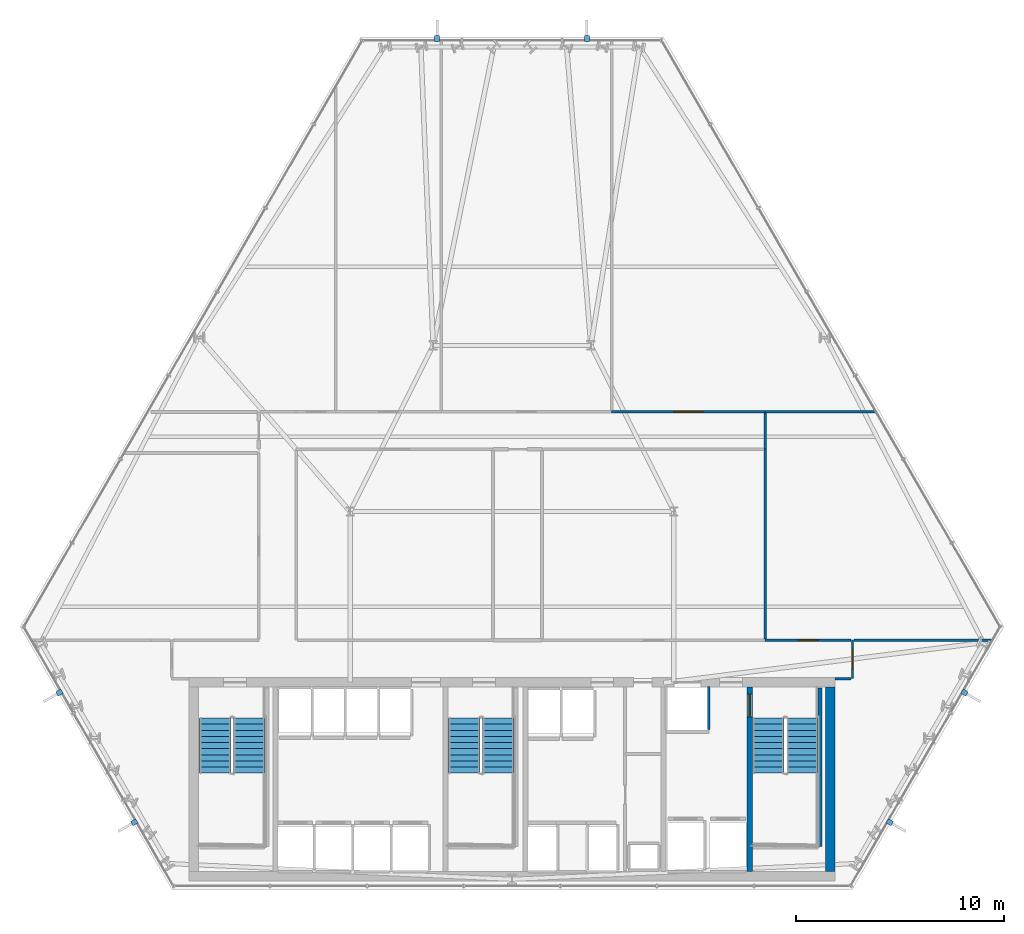
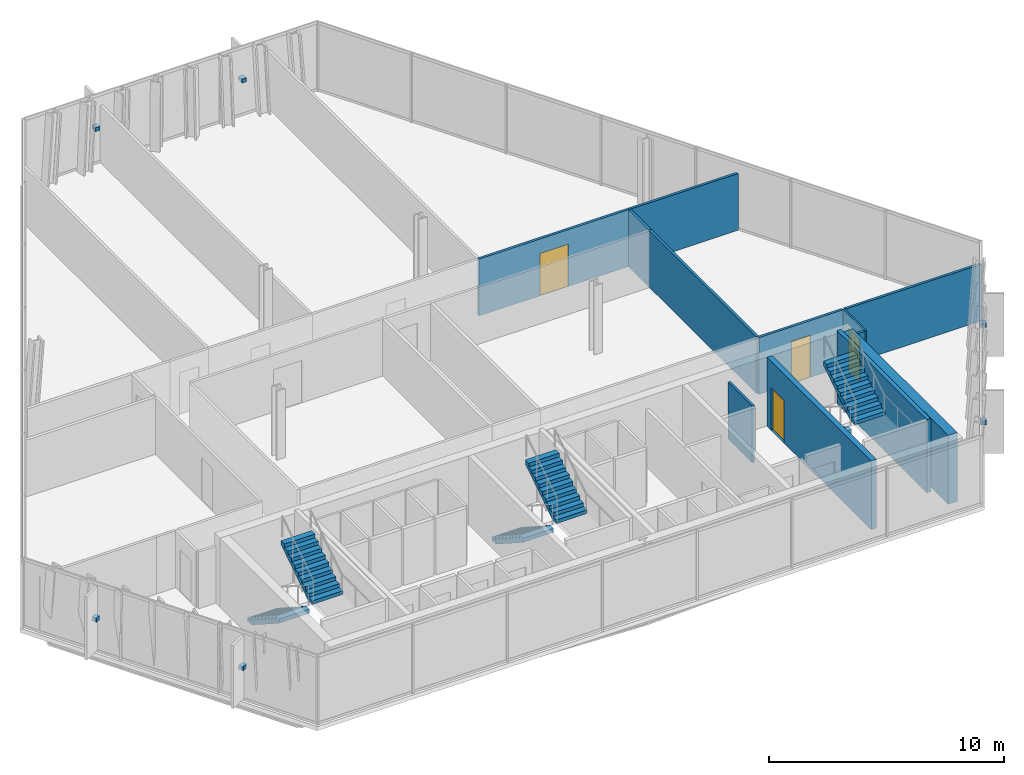
# One storey, part 29 of 33: 12 walls, 6 discrete accessories, 6 stair flights, 4 doors, 4 openings, 3 elements without a shape of their own.
"""IFC4 building model written with IfcOpenShell, lengths in metres."""

from ifc_helpers import new_model, si_unit, direction, frame, frame_2d, origin, origin_2d, place, context, subcontext, project, spatial, polyline, rectangle, outline, extrude, material, layer, layer_set, type_object, element, fill, aggregate, save


model = new_model("IFC4")

# Units and contexts
model_context = context("Model", 3, precision=1e-05, world=origin(), true_north=direction((0.0, 1.0)))
body_context = subcontext(model_context, "Body", "Model", "MODEL_VIEW")
ifc_project = project(units=[si_unit("LENGTHUNIT", "METRE"), si_unit("AREAUNIT", "SQUARE_METRE"), si_unit("VOLUMEUNIT", "CUBIC_METRE"), si_unit("PLANEANGLEUNIT", "RADIAN"), si_unit("MASSUNIT", "GRAM", prefix="KILO")], contexts=[model_context])

# Site, building, storey
site_placement = place(None, origin())
site = spatial("IfcSite", under=ifc_project, at=site_placement, CompositionType="ELEMENT")
building_placement = place(site_placement, origin())
building = spatial("IfcBuilding", under=site, at=building_placement, Name="Ndaravel Arena Tower", CompositionType="ELEMENT")
storey_placement = place(building_placement, frame((0.0, 0.0, 89.199951171875)))
storey = spatial("IfcBuildingStorey", under=building, at=storey_placement, Name="L20", CompositionType="ELEMENT", Elevation=89.199951171875)

# Wall, opening, door
ifc_material_1 = material(Name="Concrete C60/75", Category="concrete")
ifc_layer_1 = layer(ifc_material_1, 0.25)
ifc_layer_set_1 = layer_set([ifc_layer_1], Name="Concrete C60/75")
wall_type_1 = type_object("IfcWallType", Name="WALL-CORE-250", PredefinedType="SOLIDWALL", material=ifc_layer_set_1)
wall_1_placement = place(storey_placement, frame((53.449951171875, 5.85009765625, 0.0), z_axis=(0.0, 0.0, 1.0), x_axis=(0.0, 1.0, 0.0)))
wall_1 = element("IfcWall", 1, at=wall_1_placement, inside=storey, type_object=wall_type_1, Name="L20 Core Web Shear Wall 5", PredefinedType="SOLIDWALL", context=body_context, shape_type="SweptSolid", body=[
    extrude(rectangle(XDim=8.89990234375, YDim=0.25, at=frame_2d((4.449951171875, 0.0))), origin(), (0.0, 0.0, 1.0), 3.580078125),
])
opening_1_placement = place(wall_1_placement, frame((7.449951171875, 0.0, 0.0)))
opening_1 = element("IfcOpeningElement", 2, at=opening_1_placement, cuts=wall_1, Name="Opening FD-01", PredefinedType="OPENING", context=body_context, shape_type="SweptSolid", body=[
    extrude(rectangle(XDim=1.10009765625, YDim=2.199951171875, at=frame_2d((0.550048828125, 1.10009765625))), frame((0.0, 0.125, 0.0), z_axis=(0.0, -1.0, 0.0), x_axis=(1.0, 0.0, 0.0)), (0.0, 0.0, 1.0), 0.25),
])
ifc_material_2 = material(Name="Steel S355", Category="steel")
door_type_1 = type_object("IfcDoorType", Name="DT-01-STAIR-1100", OperationType="SINGLE_SWING_LEFT", PredefinedType="DOOR", material=ifc_material_2)
door_1_placement = place(opening_1_placement, origin())
door_1 = element("IfcDoor", 3, at=door_1_placement, inside=storey, type_object=door_type_1, Name="L20 Firefighting Lobby to ST-3 Door", OperationType="SINGLE_SWING_LEFT", OverallHeight=2.199951171875, OverallWidth=1.10009765625, PredefinedType="DOOR", context=body_context, shape_type="SweptSolid", body=[
    extrude(rectangle(XDim=1.10009765625, YDim=2.199951171875, at=frame_2d((0.550048828125, 1.10009765625))), frame((0.0, 0.02490234375, 0.0), z_axis=(0.0, -1.0, 0.0), x_axis=(1.0, 0.0, 0.0)), (0.0, 0.0, 1.0), 0.050048828125),
])
fill(opening_1, door_1)

# Wall
ifc_material_3 = material(Name="Concrete C60/75", Category="concrete")
ifc_layer_2 = layer(ifc_material_3, 0.449951171875)
ifc_layer_set_2 = layer_set([ifc_layer_2], Name="Concrete C60/75")
wall_type_2 = type_object("IfcWallType", Name="WALL-CORE-450", PredefinedType="SOLIDWALL", material=ifc_layer_set_2)
wall_2_placement = place(storey_placement, frame((57.324951171875, 5.85009765625, 0.0), z_axis=(0.0, 0.0, 1.0), x_axis=(0.0, 1.0, 0.0)))
element("IfcWall", 4, at=wall_2_placement, inside=storey, type_object=wall_type_2, Name="L20 Core East Shear Wall", PredefinedType="SOLIDWALL", context=body_context, shape_type="SweptSolid", body=[
    extrude(rectangle(XDim=8.89990234375, YDim=0.449951171875, at=frame_2d((4.449951171875, 0.0))), origin(), (0.0, 0.0, 1.0), 3.580078125),
])

# Wall, opening, door
ifc_material_4 = material(Name="Timber", Category="wood")
ifc_layer_3 = layer(ifc_material_4, 0.10009765625)
ifc_layer_set_3 = layer_set([ifc_layer_3], Name="Timber")
wall_type_3 = type_object("IfcWallType", Name="WALL-MOVABLE-100", PredefinedType="MOVABLE", material=ifc_layer_set_3)
wall_3_placement = place(storey_placement, frame((58.39990234375, 17.0, 0.0), z_axis=(0.0, 0.0, 1.0), x_axis=(0.0, -1.0, 0.0)))
wall_3 = element("IfcWall", 5, at=wall_3_placement, inside=storey, type_object=wall_type_3, Name="L20 Interior Partition 001", PredefinedType="MOVABLE", context=body_context, shape_type="SweptSolid", body=[
    extrude(rectangle(XDim=1.85009765625, YDim=0.10009765625, at=frame_2d((0.925048828125, 0.0))), origin(), (0.0, 0.0, 1.0), 2.949951171875),
])
opening_2_placement = place(wall_3_placement, frame((0.449951171875, 0.0, 0.0)))
opening_2 = element("IfcOpeningElement", 6, at=opening_2_placement, cuts=wall_3, Name="Opening ID-01", PredefinedType="OPENING", context=body_context, shape_type="SweptSolid", body=[
    extrude(rectangle(XDim=0.949951171875, YDim=2.199951171875, at=frame_2d((0.47509765625, 1.10009765625))), frame((0.0, 0.050048828125, 0.0), z_axis=(0.0, -1.0, 0.0), x_axis=(1.0, 0.0, 0.0)), (0.0, 0.0, 1.0), 0.10009765625),
])
ifc_material_5 = material(Name="Timber", Category="wood")
door_type_2 = type_object("IfcDoorType", Name="DT-03-OFFICE-950", OperationType="SINGLE_SWING_LEFT", PredefinedType="DOOR", material=ifc_material_5)
door_2_placement = place(opening_2_placement, origin())
door_2 = element("IfcDoor", 7, at=door_2_placement, inside=storey, type_object=door_type_2, Name="L20 Visitor Reception Desk Door", OperationType="SINGLE_SWING_RIGHT", OverallHeight=2.199951171875, OverallWidth=0.949951171875, PredefinedType="DOOR", context=body_context, shape_type="SweptSolid", body=[
    extrude(rectangle(XDim=0.949951171875, YDim=2.199951171875, at=frame_2d((0.47509765625, 1.10009765625))), frame((0.0, 0.02490234375, 0.0), z_axis=(0.0, -1.0, 0.0), x_axis=(1.0, 0.0, 0.0)), (0.0, 0.0, 1.0), 0.050048828125),
])
fill(opening_2, door_2)

# Wall
ifc_material_6 = material(Name="Gypsum", Category="gypsum")
ifc_layer_4 = layer(ifc_material_6, 0.125)
ifc_layer_set_4 = layer_set([ifc_layer_4], Name="Gypsum")
wall_type_4 = type_object("IfcWallType", Name="WALL-PART-125", PredefinedType="PARTITIONING", material=ifc_layer_set_4)
wall_4_placement = place(storey_placement, frame((58.3349609375, 15.14990234375, 0.0), z_axis=(0.0, 0.0, 1.0), x_axis=(-1.0, 0.0, 0.0)))
element("IfcWall", 8, at=wall_4_placement, inside=storey, type_object=wall_type_4, Name="L20 Interior Partition 002", PredefinedType="PARTITIONING", context=body_context, shape_type="SweptSolid", body=[
    extrude(rectangle(XDim=0.784912109375, YDim=0.125, at=frame_2d((0.392578125, 0.0))), origin(), (0.0, 0.0, 1.0), 2.949951171875),
])

# Wall, opening, door
wall_5_placement = place(storey_placement, frame((46.800048828125, 28.0, 0.0), z_axis=(0.0, 0.0, 1.0), x_axis=(1.0, 0.0, 0.0)))
wall_5 = element("IfcWall", 9, at=wall_5_placement, inside=storey, type_object=wall_type_4, Name="L20 Interior Partition 012", PredefinedType="PARTITIONING", context=body_context, shape_type="SweptSolid", body=[
    extrude(rectangle(XDim=7.39990234375, YDim=0.125, at=frame_2d((3.699951171875, 0.0))), origin(), (0.0, 0.0, 1.0), 2.949951171875),
])
opening_3_placement = place(wall_5_placement, frame((3.0, 0.0, 0.0)))
opening_3 = element("IfcOpeningElement", 10, at=opening_3_placement, cuts=wall_5, Name="Opening ID-02", PredefinedType="OPENING", context=body_context, shape_type="SweptSolid", body=[
    extrude(rectangle(XDim=1.39990234375, YDim=2.199951171875, at=frame_2d((0.699951171875, 1.10009765625))), frame((0.0, 0.0625, 0.0), z_axis=(0.0, -1.0, 0.0), x_axis=(1.0, 0.0, 0.0)), (0.0, 0.0, 1.0), 0.125),
])
ifc_material_7 = material(Name="Timber", Category="wood")
door_type_3 = type_object("IfcDoorType", Name="DT-04-SUITE-1400", OperationType="DOUBLE_DOOR_SINGLE_SWING", PredefinedType="DOOR", material=ifc_material_7)
door_3_placement = place(opening_3_placement, origin())
door_3 = element("IfcDoor", 11, at=door_3_placement, inside=storey, type_object=door_type_3, Name="L20 Tenant Reception Suite 3 Door", OperationType="SINGLE_SWING_RIGHT", OverallHeight=2.199951171875, OverallWidth=1.39990234375, PredefinedType="DOOR", context=body_context, shape_type="SweptSolid", body=[
    extrude(rectangle(XDim=1.39990234375, YDim=2.199951171875, at=frame_2d((0.699951171875, 1.10009765625))), frame((0.0, 0.02490234375, 0.0), z_axis=(0.0, -1.0, 0.0), x_axis=(1.0, 0.0, 0.0)), (0.0, 0.0, 1.0), 0.050048828125),
])
fill(opening_3, door_3)

# Wall
wall_6_placement = place(storey_placement, frame((54.199951171875, 27.93505859375, 0.0), z_axis=(0.0, 0.0, 1.0), x_axis=(0.0, -1.0, 0.0)))
element("IfcWall", 12, at=wall_6_placement, inside=storey, type_object=wall_type_4, Name="L20 Interior Partition 013", PredefinedType="PARTITIONING", context=body_context, shape_type="SweptSolid", body=[
    extrude(rectangle(XDim=1.735107421875, YDim=0.125, at=frame_2d((0.86767578125, 0.0))), origin(), (0.0, 0.0, 1.0), 2.949951171875),
])

# Wall, opening, door
wall_7_placement = place(storey_placement, frame((54.199951171875, 17.0, 0.0), z_axis=(0.0, 0.0, 1.0), x_axis=(1.0, 0.0, 0.0)))
wall_7 = element("IfcWall", 13, at=wall_7_placement, inside=storey, type_object=wall_type_4, Name="L20 Interior Partition 021", PredefinedType="PARTITIONING", context=body_context, shape_type="SweptSolid", body=[
    extrude(rectangle(XDim=4.135009765625, YDim=0.125, at=frame_2d((2.0673828125, 0.0))), origin(), (0.0, 0.0, 1.0), 2.949951171875),
])
opening_4_placement = place(wall_7_placement, frame((1.592529296875, 0.0, 0.0)))
opening_4 = element("IfcOpeningElement", 14, at=opening_4_placement, cuts=wall_7, Name="Opening ID-01", PredefinedType="OPENING", context=body_context, shape_type="SweptSolid", body=[
    extrude(rectangle(XDim=0.949951171875, YDim=2.199951171875, at=frame_2d((0.47509765625, 1.10009765625))), frame((0.0, 0.0625, 0.0), z_axis=(0.0, -1.0, 0.0), x_axis=(1.0, 0.0, 0.0)), (0.0, 0.0, 1.0), 0.125),
])
door_4_placement = place(opening_4_placement, origin())
door_4 = element("IfcDoor", 15, at=door_4_placement, inside=storey, type_object=door_type_2, Name="L20 Advisory Desk Office 3 Door", OperationType="SINGLE_SWING_LEFT", OverallHeight=2.199951171875, OverallWidth=0.949951171875, PredefinedType="DOOR", context=body_context, shape_type="SweptSolid", body=[
    extrude(rectangle(XDim=0.949951171875, YDim=2.199951171875, at=frame_2d((0.47509765625, 1.10009765625))), frame((0.0, 0.02490234375, 0.0), z_axis=(0.0, -1.0, 0.0), x_axis=(1.0, 0.0, 0.0)), (0.0, 0.0, 1.0), 0.050048828125),
])
fill(opening_4, door_4)

# Walls
wall_8_placement = place(storey_placement, frame((58.465087890625, 17.0, 0.0), z_axis=(0.0, 0.0, 1.0), x_axis=(1.0, 0.0, 0.0)))
element("IfcWall", 16, at=wall_8_placement, inside=storey, type_object=wall_type_4, Name="L20 Interior Partition 024", PredefinedType="PARTITIONING", context=body_context, shape_type="SweptSolid", body=[
    extrude(rectangle(XDim=6.6796875, YDim=0.125, at=frame_2d((3.33984375, 0.0))), origin(), (0.0, 0.0, 1.0), 2.949951171875),
])
wall_9_placement = place(storey_placement, frame((54.199951171875, 26.199951171875, 0.0), z_axis=(0.0, 0.0, 1.0), x_axis=(0.0, -1.0, 0.0)))
element("IfcWall", 17, at=wall_9_placement, inside=storey, type_object=wall_type_4, Name="L20 Interior Partition 028", PredefinedType="PARTITIONING", context=body_context, shape_type="SweptSolid", body=[
    extrude(rectangle(XDim=9.135009765625, YDim=0.125, at=frame_2d((4.5673828125, 0.0))), origin(), (0.0, 0.0, 1.0), 2.949951171875),
])
wall_10_placement = place(storey_placement, frame((54.199951171875, 28.0, 0.0), z_axis=(0.0, 0.0, 1.0), x_axis=(1.0, 0.0, 0.0)))
element("IfcWall", 18, at=wall_10_placement, inside=storey, type_object=wall_type_4, Name="L20 Interior Partition 029", PredefinedType="PARTITIONING", context=body_context, shape_type="SweptSolid", body=[
    extrude(rectangle(XDim=5.342041015625, YDim=0.125, at=frame_2d((2.6708984375, 0.0))), origin(), (0.0, 0.0, 1.0), 2.949951171875),
])
ifc_material_8 = material(Name="Concrete C40/50", Category="concrete")
ifc_layer_5 = layer(ifc_material_8, 0.1201171875)
ifc_layer_set_5 = layer_set([ifc_layer_5], Name="Concrete C40/50")
wall_type_5 = type_object("IfcWallType", Name="WALL-SHAFT-120", PredefinedType="SOLIDWALL", material=ifc_layer_set_5)
wall_11_placement = place(storey_placement, frame((51.47998046875, 12.68994140625, 0.0), z_axis=(0.0, 0.0, 1.0), x_axis=(0.0, 1.0, 0.0)))
element("IfcWall", 19, at=wall_11_placement, inside=storey, type_object=wall_type_5, Name="L20 SVL-1 Shaft E Wall", PredefinedType="SOLIDWALL", context=body_context, shape_type="SweptSolid", body=[
    extrude(rectangle(XDim=2.070068359375, YDim=0.1201171875, at=frame_2d((1.03515625, 0.0))), origin(), (0.0, 0.0, 1.0), 2.949951171875),
])
ifc_material_9 = material(Name="Concrete C40/50", Category="concrete")
ifc_layer_6 = layer(ifc_material_9, 0.199951171875)
ifc_layer_set_6 = layer_set([ifc_layer_6], Name="Concrete C40/50")
wall_type_6 = type_object("IfcWallType", Name="WALL-SHAFT-200", PredefinedType="SOLIDWALL", material=ifc_layer_set_6)
wall_12_placement = place(storey_placement, frame((56.840087890625, 14.699951171875, 0.0), z_axis=(0.0, 0.0, 1.0), x_axis=(0.0, -1.0, 0.0)))
element("IfcWall", 20, at=wall_12_placement, inside=storey, type_object=wall_type_6, Name="L20 ST-3 Structural Shaft Wall Right", PredefinedType="SOLIDWALL", context=body_context, shape_type="SweptSolid", body=[
    extrude(rectangle(XDim=7.64990234375, YDim=0.199951171875, at=frame_2d((3.824951171875, 0.0))), origin(), (0.0, 0.0, 1.0), 3.800048828125),
])

# Stair, stair flights
ifc_material_10 = material(Name="Concrete C40/50", Category="concrete")
stair_type = type_object("IfcStairType", Name="STAIR-CORE-HT", PredefinedType="HALF_TURN_STAIR", material=ifc_material_10)
stair_1_placement = place(storey_placement, origin())
stair_1 = element("IfcStair", 21, at=stair_1_placement, inside=storey, type_object=stair_type, Name="L20 ST-1", PredefinedType="HALF_TURN_STAIR")
ifc_material_11 = material(Name="Concrete C40/50", Category="concrete")
stair_flight_type = type_object("IfcStairFlightType", Name="SFLIGHT-CORE-1680", PredefinedType="STRAIGHT", material=ifc_material_11)
stair_flight_1_placement = place(storey_placement, frame((27.699951171875, 13.25, 0.0), z_axis=(0.0, 0.0, 1.0), x_axis=(0.0, -1.0, 0.0)))
stair_flight_1 = element("IfcStairFlight", 22, at=stair_flight_1_placement, type_object=stair_flight_type, Name="ST-1 flight 1", NumberOfRisers=10, NumberOfTreads=9, PredefinedType="STRAIGHT", RiserHeight=0.19, TreadLength=0.295, context=body_context, shape_type="SweptSolid", body=[
    extrude(outline(polyline([(0.0, 0.0), (0.0, 0.18994140625), (0.294921875, 0.18994140625), (0.294921875, 0.3798828125), (0.590087890625, 0.3798828125), (0.590087890625, 0.570068359375), (0.885009765625, 0.570068359375), (0.885009765625, 0.760009765625), (1.179931640625, 0.760009765625), (1.179931640625, 0.949951171875), (1.47509765625, 0.949951171875), (1.47509765625, 1.139892578125), (1.77001953125, 1.139892578125), (1.77001953125, 1.330078125), (2.06494140625, 1.330078125), (2.06494140625, 1.52001953125), (2.360107421875, 1.52001953125), (2.360107421875, 1.7099609375), (2.655029296875, 1.7099609375), (2.655029296875, 1.89990234375), (2.655029296875, 1.49609375), (0.332275390625, 0.0), (0.0, 0.0)])), frame((0.0, 0.75, 0.0), z_axis=(0.0, -1.0, 0.0), x_axis=(1.0, 0.0, 0.0)), (0.0, 0.0, 1.0), 1.5),
])
stair_flight_2_placement = place(storey_placement, frame((29.340087890625, 10.594970703125, 1.900146484375), z_axis=(0.0, 0.0, 1.0), x_axis=(0.0, 1.0, 0.0)))
stair_flight_2 = element("IfcStairFlight", 23, at=stair_flight_2_placement, type_object=stair_flight_type, Name="ST-1 flight 2", NumberOfRisers=10, NumberOfTreads=9, PredefinedType="STRAIGHT", RiserHeight=0.19, TreadLength=0.295, context=body_context, shape_type="SweptSolid", body=[
    extrude(outline(polyline([(0.0, 0.0), (0.0, 0.18994140625), (0.294921875, 0.18994140625), (0.294921875, 0.3798828125), (0.590087890625, 0.3798828125), (0.590087890625, 0.570068359375), (0.885009765625, 0.570068359375), (0.885009765625, 0.760009765625), (1.179931640625, 0.760009765625), (1.179931640625, 0.949951171875), (1.47509765625, 0.949951171875), (1.47509765625, 1.139892578125), (1.77001953125, 1.139892578125), (1.77001953125, 1.330078125), (2.06494140625, 1.330078125), (2.06494140625, 1.52001953125), (2.360107421875, 1.52001953125), (2.360107421875, 1.7099609375), (2.655029296875, 1.7099609375), (2.655029296875, 1.89990234375), (2.655029296875, 1.49609375), (0.332275390625, 0.0), (0.0, 0.0)])), frame((0.0, 0.75, 0.0), z_axis=(0.0, -1.0, 0.0), x_axis=(1.0, 0.0, 0.0)), (0.0, 0.0, 1.0), 1.5),
])
aggregate(stair_1, [stair_flight_1, stair_flight_2])

stair_2_placement = place(storey_placement, origin())
stair_2 = element("IfcStair", 24, at=stair_2_placement, inside=storey, type_object=stair_type, Name="L20 ST-2", PredefinedType="HALF_TURN_STAIR")
stair_flight_3_placement = place(storey_placement, frame((39.699951171875, 13.25, 0.0), z_axis=(0.0, 0.0, 1.0), x_axis=(0.0, -1.0, 0.0)))
stair_flight_3 = element("IfcStairFlight", 25, at=stair_flight_3_placement, type_object=stair_flight_type, Name="ST-2 flight 1", NumberOfRisers=10, NumberOfTreads=9, PredefinedType="STRAIGHT", RiserHeight=0.19, TreadLength=0.295, context=body_context, shape_type="SweptSolid", body=[
    extrude(outline(polyline([(0.0, 0.0), (0.0, 0.18994140625), (0.294921875, 0.18994140625), (0.294921875, 0.3798828125), (0.590087890625, 0.3798828125), (0.590087890625, 0.570068359375), (0.885009765625, 0.570068359375), (0.885009765625, 0.760009765625), (1.179931640625, 0.760009765625), (1.179931640625, 0.949951171875), (1.47509765625, 0.949951171875), (1.47509765625, 1.139892578125), (1.77001953125, 1.139892578125), (1.77001953125, 1.330078125), (2.06494140625, 1.330078125), (2.06494140625, 1.52001953125), (2.360107421875, 1.52001953125), (2.360107421875, 1.7099609375), (2.655029296875, 1.7099609375), (2.655029296875, 1.89990234375), (2.655029296875, 1.49609375), (0.332275390625, 0.0), (0.0, 0.0)])), frame((0.0, 0.75, 0.0), z_axis=(0.0, -1.0, 0.0), x_axis=(1.0, 0.0, 0.0)), (0.0, 0.0, 1.0), 1.5),
])
stair_flight_4_placement = place(storey_placement, frame((41.340087890625, 10.594970703125, 1.900146484375), z_axis=(0.0, 0.0, 1.0), x_axis=(0.0, 1.0, 0.0)))
stair_flight_4 = element("IfcStairFlight", 26, at=stair_flight_4_placement, type_object=stair_flight_type, Name="ST-2 flight 2", NumberOfRisers=10, NumberOfTreads=9, PredefinedType="STRAIGHT", RiserHeight=0.19, TreadLength=0.295, context=body_context, shape_type="SweptSolid", body=[
    extrude(outline(polyline([(0.0, 0.0), (0.0, 0.18994140625), (0.294921875, 0.18994140625), (0.294921875, 0.3798828125), (0.590087890625, 0.3798828125), (0.590087890625, 0.570068359375), (0.885009765625, 0.570068359375), (0.885009765625, 0.760009765625), (1.179931640625, 0.760009765625), (1.179931640625, 0.949951171875), (1.47509765625, 0.949951171875), (1.47509765625, 1.139892578125), (1.77001953125, 1.139892578125), (1.77001953125, 1.330078125), (2.06494140625, 1.330078125), (2.06494140625, 1.52001953125), (2.360107421875, 1.52001953125), (2.360107421875, 1.7099609375), (2.655029296875, 1.7099609375), (2.655029296875, 1.89990234375), (2.655029296875, 1.49609375), (0.332275390625, 0.0), (0.0, 0.0)])), frame((0.0, 0.75, 0.0), z_axis=(0.0, -1.0, 0.0), x_axis=(1.0, 0.0, 0.0)), (0.0, 0.0, 1.0), 1.5),
])
aggregate(stair_2, [stair_flight_3, stair_flight_4])

stair_3_placement = place(storey_placement, origin())
stair_3 = element("IfcStair", 27, at=stair_3_placement, inside=storey, type_object=stair_type, Name="L20 ST-3", PredefinedType="HALF_TURN_STAIR")
stair_flight_5_placement = place(storey_placement, frame((54.35009765625, 13.25, 0.0), z_axis=(0.0, 0.0, 1.0), x_axis=(0.0, -1.0, 0.0)))
stair_flight_5 = element("IfcStairFlight", 28, at=stair_flight_5_placement, type_object=stair_flight_type, Name="ST-3 flight 1", NumberOfRisers=10, NumberOfTreads=9, PredefinedType="STRAIGHT", RiserHeight=0.19, TreadLength=0.295, context=body_context, shape_type="SweptSolid", body=[
    extrude(outline(polyline([(0.0, 0.0), (0.0, 0.18994140625), (0.294921875, 0.18994140625), (0.294921875, 0.3798828125), (0.590087890625, 0.3798828125), (0.590087890625, 0.570068359375), (0.885009765625, 0.570068359375), (0.885009765625, 0.760009765625), (1.179931640625, 0.760009765625), (1.179931640625, 0.949951171875), (1.47509765625, 0.949951171875), (1.47509765625, 1.139892578125), (1.77001953125, 1.139892578125), (1.77001953125, 1.330078125), (2.06494140625, 1.330078125), (2.06494140625, 1.52001953125), (2.360107421875, 1.52001953125), (2.360107421875, 1.7099609375), (2.655029296875, 1.7099609375), (2.655029296875, 1.89990234375), (2.655029296875, 1.49609375), (0.332275390625, 0.0), (0.0, 0.0)])), frame((0.0, 0.75, 0.0), z_axis=(0.0, -1.0, 0.0), x_axis=(1.0, 0.0, 0.0)), (0.0, 0.0, 1.0), 1.5),
])
stair_flight_6_placement = place(storey_placement, frame((55.989990234375, 10.594970703125, 1.900146484375), z_axis=(0.0, 0.0, 1.0), x_axis=(0.0, 1.0, 0.0)))
stair_flight_6 = element("IfcStairFlight", 29, at=stair_flight_6_placement, type_object=stair_flight_type, Name="ST-3 flight 2", NumberOfRisers=10, NumberOfTreads=9, PredefinedType="STRAIGHT", RiserHeight=0.19, TreadLength=0.295, context=body_context, shape_type="SweptSolid", body=[
    extrude(outline(polyline([(0.0, 0.0), (0.0, 0.18994140625), (0.294921875, 0.18994140625), (0.294921875, 0.3798828125), (0.590087890625, 0.3798828125), (0.590087890625, 0.570068359375), (0.885009765625, 0.570068359375), (0.885009765625, 0.760009765625), (1.179931640625, 0.760009765625), (1.179931640625, 0.949951171875), (1.47509765625, 0.949951171875), (1.47509765625, 1.139892578125), (1.77001953125, 1.139892578125), (1.77001953125, 1.330078125), (2.06494140625, 1.330078125), (2.06494140625, 1.52001953125), (2.360107421875, 1.52001953125), (2.360107421875, 1.7099609375), (2.655029296875, 1.7099609375), (2.655029296875, 1.89990234375), (2.655029296875, 1.49609375), (0.332275390625, 0.0), (0.0, 0.0)])), frame((0.0, 0.75, 0.0), z_axis=(0.0, -1.0, 0.0), x_axis=(1.0, 0.0, 0.0)), (0.0, 0.0, 1.0), 1.5),
])
aggregate(stair_3, [stair_flight_5, stair_flight_6])

# Discrete accessories
ifc_material_12 = material(Name="Steel S355", Category="steel")
discrete_accessory_type = type_object("IfcDiscreteAccessoryType", Name="ACC-BRACKET-FIN", PredefinedType="BRACKET", material=ifc_material_12)
for number, where, z_axis, x_axis, name in (
    (30, (60.197998046875, 8.23193359375, 1.68994140625), (0.0, 0.0, 1.0), (0.866025403784, -0.5, 0.0), "L20 Mazeras Stone Solar Fin E2.1 Bracket"),
    (31, (63.802978515625, 14.475830078125, 1.68994140625), (0.0, 0.0, 1.0), (0.866025403784, -0.5, 0.0), "L20 Mazeras Stone Solar Fin E2.2 Bracket"),
    (32, (45.60498046875, 45.995849609375, 1.68994140625), (0.0, 0.0, 1.0), (0.0, 1.0, 0.0), "L20 Mazeras Stone Solar Fin E4.1 Bracket"),
    (33, (38.39501953125, 45.995849609375, 1.68994140625), (0.0, 0.0, 1.0), (0.0, 1.0, 0.0), "L20 Mazeras Stone Solar Fin E4.2 Bracket"),
    (34, (20.197021484375, 14.475830078125, 1.68994140625), (0.0, 0.0, 1.0), (-0.866025403784, -0.5, 0.0), "L20 Mazeras Stone Solar Fin E6.1 Bracket"),
    (35, (23.802001953125, 8.23193359375, 1.68994140625), (0.0, 0.0, 1.0), (-0.866025403784, -0.5, 0.0), "L20 Mazeras Stone Solar Fin E6.2 Bracket"),
):
    element("IfcDiscreteAccessory", number, at=place(storey_placement, frame(where, z_axis=z_axis, x_axis=x_axis)), inside=storey, type_object=discrete_accessory_type, Name=name, PredefinedType="BRACKET", context=body_context, shape_type="SweptSolid", body=[
        extrude(rectangle(XDim=0.280029296875, YDim=0.239990234375, at=origin_2d()), origin(), (0.0, 0.0, 1.0), 0.199951171875),
    ])

save(model, "model.ifc")
